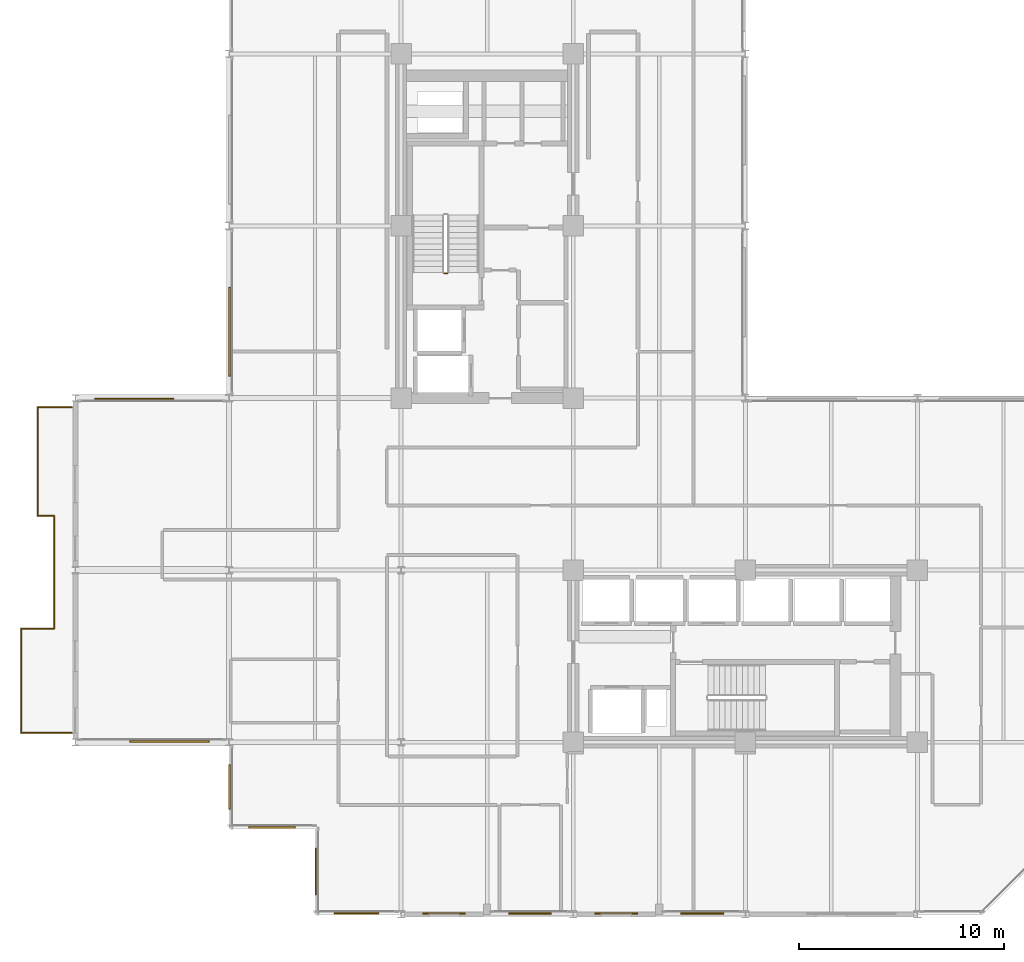
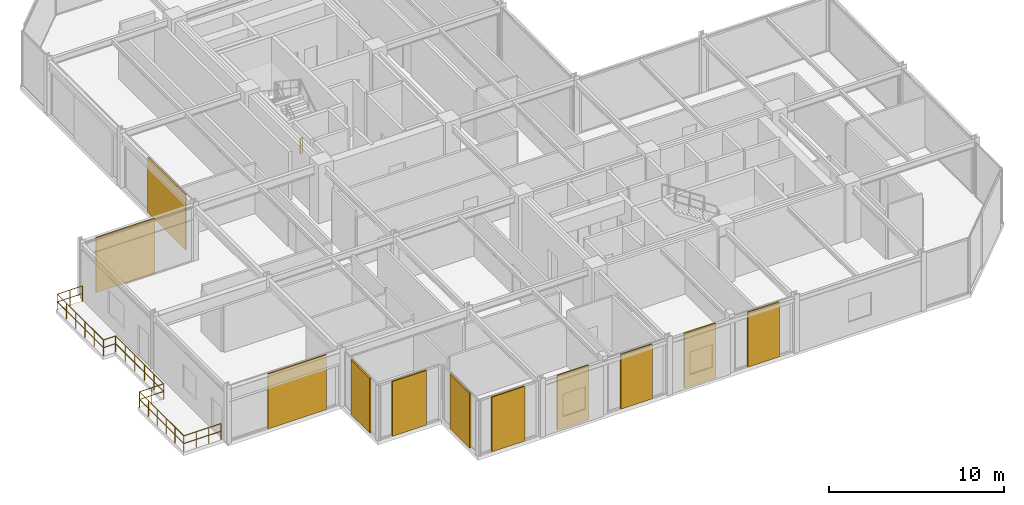
# One storey, part 27 of 29: 11 coverings, 8 railings.
"""IFC4 building model written with IfcOpenShell, lengths in metres."""

from ifc_helpers import new_model, si_unit, direction, frame, origin, origin_2d, place, context, subcontext, project, spatial, rectangle, circle, extrude, material, layer, layer_set, type_object, element, save


model = new_model("IFC4")

# Units and contexts
model_context = context("Model", 3, precision=1e-05, world=origin(), true_north=direction((0.0, 1.0)))
body_context = subcontext(model_context, "Body", "Model", "MODEL_VIEW")
ifc_project = project(units=[si_unit("LENGTHUNIT", "METRE"), si_unit("AREAUNIT", "SQUARE_METRE"), si_unit("VOLUMEUNIT", "CUBIC_METRE"), si_unit("PLANEANGLEUNIT", "RADIAN"), si_unit("MASSUNIT", "GRAM", prefix="KILO")], contexts=[model_context])

# Site, building, storey
site_placement = place(None, origin())
site = spatial("IfcSite", under=ifc_project, at=site_placement, CompositionType="ELEMENT")
building_placement = place(site_placement, origin())
building = spatial("IfcBuilding", under=site, at=building_placement, Name="Nerrivon Quay Data Exchange", CompositionType="ELEMENT")
storey_placement = place(building_placement, frame((0.0, 0.0, 212.39990234375)))
storey = spatial("IfcBuildingStorey", under=building, at=storey_placement, Name="L50", CompositionType="ELEMENT", Elevation=212.39990234375)

# Coverings
ifc_material_1 = material(Name="Architectural terracotta ceramic", Category="masonry")
ifc_layer = layer(ifc_material_1, 0.090087890625)
ifc_layer_set = layer_set([ifc_layer], Name="Architectural terracotta ceramic")
covering_type = type_object("IfcCoveringType", Name="COV-SCR-TERR", PredefinedType="CLADDING", material=ifc_layer_set)
covering_1_placement = place(storey_placement, frame((-4.6201171875, 25.155029296875, 0.0), z_axis=(0.0, 0.0, 1.0), x_axis=(1.0, 0.0, 0.0)))
element("IfcCovering", 1, at=covering_1_placement, inside=storey, type_object=covering_type, Name="L50 Perforated Terracotta SOLAR SCREEN Cassette", PredefinedType="CLADDING", context=body_context, shape_type="SweptSolid", body=[
    extrude(rectangle(XDim=3.8720703125, YDim=0.090087890625, at=origin_2d()), origin(), (0.0, 0.0, 1.0), 3.824951171875),
])
covering_2_placement = place(storey_placement, frame((0.044921875, 28.43408203125, 0.0), z_axis=(0.0, 0.0, 1.0), x_axis=(0.0, 1.0, 0.0)))
element("IfcCovering", 2, at=covering_2_placement, inside=storey, type_object=covering_type, Name="L50 Perforated Terracotta SOLAR SCREEN Cassette", PredefinedType="CLADDING", context=body_context, shape_type="SweptSolid", body=[
    extrude(rectangle(XDim=4.346923828125, YDim=0.090087890625, at=origin_2d()), origin(), (0.0, 0.0, 1.0), 3.824951171875),
])
for number, where, z_axis, x_axis, name in (
    (3, (23.10009765625, 0.044921875, 0.0), (0.0, 0.0, 1.0), (-1.0, 0.0, 0.0), "L50 Perforated Terracotta SOLAR SCREEN Cassette"),
    (4, (18.89990234375, 0.044921875, 0.0), (0.0, 0.0, 1.0), (-1.0, 0.0, 0.0), "L50 Perforated Terracotta SOLAR SCREEN Cassette"),
    (5, (14.699951171875, 0.044921875, 0.0), (0.0, 0.0, 1.0), (-1.0, 0.0, 0.0), "L50 Perforated Terracotta SOLAR SCREEN Cassette"),
    (6, (10.5, 0.044921875, 0.0), (0.0, 0.0, 1.0), (-1.0, 0.0, 0.0), "L50 Perforated Terracotta SOLAR SCREEN Cassette"),
):
    element("IfcCovering", number, at=place(storey_placement, frame(where, z_axis=z_axis, x_axis=x_axis)), inside=storey, type_object=covering_type, Name=name, PredefinedType="CLADDING", context=body_context, shape_type="SweptSolid", body=[
        extrude(rectangle(XDim=2.0791015625, YDim=0.090087890625, at=origin_2d()), origin(), (0.0, 0.0, 1.0), 3.824951171875),
    ])
covering_3_placement = place(storey_placement, frame((6.21240234375, 0.044921875, 0.0), z_axis=(0.0, 0.0, 1.0), x_axis=(-1.0, 0.0, 0.0)))
element("IfcCovering", 7, at=covering_3_placement, inside=storey, type_object=covering_type, Name="L50 Perforated Terracotta SOLAR SCREEN Cassette", PredefinedType="CLADDING", context=body_context, shape_type="SweptSolid", body=[
    extrude(rectangle(XDim=2.173095703125, YDim=0.090087890625, at=origin_2d()), origin(), (0.0, 0.0, 1.0), 3.824951171875),
])
for number, where, z_axis, x_axis, name in (
    (8, (4.2451171875, 2.10009765625, 0.0), (0.0, 0.0, 1.0), (0.0, 1.0, 0.0), "L50 Perforated Terracotta SOLAR SCREEN Cassette"),
    (9, (2.10009765625, 4.2451171875, 0.0), (0.0, 0.0, 1.0), (-1.0, 0.0, 0.0), "L50 Perforated Terracotta SOLAR SCREEN Cassette"),
):
    element("IfcCovering", number, at=place(storey_placement, frame(where, z_axis=z_axis, x_axis=x_axis)), inside=storey, type_object=covering_type, Name=name, PredefinedType="CLADDING", context=body_context, shape_type="SweptSolid", body=[
        extrude(rectangle(XDim=2.26806640625, YDim=0.090087890625, at=origin_2d()), origin(), (0.0, 0.0, 1.0), 3.824951171875),
    ])
covering_4_placement = place(storey_placement, frame((0.044921875, 6.21240234375, 0.0), z_axis=(0.0, 0.0, 1.0), x_axis=(0.0, 1.0, 0.0)))
element("IfcCovering", 10, at=covering_4_placement, inside=storey, type_object=covering_type, Name="L50 Perforated Terracotta SOLAR SCREEN Cassette", PredefinedType="CLADDING", context=body_context, shape_type="SweptSolid", body=[
    extrude(rectangle(XDim=2.173095703125, YDim=0.090087890625, at=origin_2d()), origin(), (0.0, 0.0, 1.0), 3.824951171875),
])
covering_5_placement = place(storey_placement, frame((-2.8994140625, 8.445068359375, 0.0), z_axis=(0.0, 0.0, 1.0), x_axis=(-1.0, 0.0, 0.0)))
element("IfcCovering", 11, at=covering_5_placement, inside=storey, type_object=covering_type, Name="L50 Perforated Terracotta SOLAR SCREEN Cassette", PredefinedType="CLADDING", context=body_context, shape_type="SweptSolid", body=[
    extrude(rectangle(XDim=3.8720703125, YDim=0.090087890625, at=origin_2d()), origin(), (0.0, 0.0, 1.0), 3.824951171875),
])

# Railings
ifc_material_2 = material(Name="Steel Grade C350L0 (350 MPa)", Category="steel")
railing_type_1 = type_object("IfcRailingType", Name="RAIL-GUARD-GR2", PredefinedType="BALUSTRADE", material=ifc_material_2)
railing_1_placement = place(storey_placement, frame((-7.679931640625, 8.860107421875, 0.0)))
element("IfcRailing", 12, at=railing_1_placement, inside=storey, type_object=railing_type_1, Name="L50 Verandah Balcony Guard 1.1 1", PredefinedType="BALUSTRADE", context=body_context, shape_type="SweptSolid", body=[
    extrude(circle(Radius=0.02392578125, at=origin_2d()), frame((0.0, 0.0, 1.09619140625), z_axis=(-1.0, 0.0, 0.0), x_axis=(0.0, -1.0, 0.0)), (0.0, 0.0, 1.0), 2.4599609375),
    extrude(circle(Radius=0.02392578125, at=origin_2d()), frame((0.0, 0.0, 0.56005859375), z_axis=(-1.0, 0.0, 0.0), x_axis=(0.0, -1.0, 0.0)), (0.0, 0.0, 1.0), 2.4599609375),
    extrude(circle(Radius=0.02099609375, at=origin_2d()), origin(), (0.0, 0.0, 1.0), 1.072021484375),
    extrude(circle(Radius=0.02099609375, at=origin_2d()), frame((-0.820068359375, 0.0, 0.0)), (0.0, 0.0, 1.0), 1.072021484375),
    extrude(circle(Radius=0.02099609375, at=origin_2d()), frame((-1.639892578125, 0.0, 0.0)), (0.0, 0.0, 1.0), 1.072021484375),
    extrude(circle(Radius=0.02099609375, at=origin_2d()), frame((-2.4599609375, 0.0, 0.0)), (0.0, 0.0, 1.0), 1.072021484375),
])
railing_2_placement = place(storey_placement, frame((-10.139892578125, 8.860107421875, 0.0)))
element("IfcRailing", 13, at=railing_2_placement, inside=storey, type_object=railing_type_1, Name="L50 Verandah Balcony Guard 1.2 1", PredefinedType="BALUSTRADE", context=body_context, shape_type="SweptSolid", body=[
    extrude(circle(Radius=0.02392578125, at=origin_2d()), frame((0.0, 0.0, 1.09619140625), z_axis=(0.0, 1.0, 0.0), x_axis=(-1.0, 0.0, 0.0)), (0.0, 0.0, 1.0), 5.079833984375),
    extrude(circle(Radius=0.02392578125, at=origin_2d()), frame((0.0, 0.0, 0.56005859375), z_axis=(0.0, 1.0, 0.0), x_axis=(-1.0, 0.0, 0.0)), (0.0, 0.0, 1.0), 5.079833984375),
    extrude(circle(Radius=0.02099609375, at=origin_2d()), origin(), (0.0, 0.0, 1.0), 1.072021484375),
    extrude(circle(Radius=0.02099609375, at=origin_2d()), frame((0.0, 1.015869140625, 0.0)), (0.0, 0.0, 1.0), 1.072021484375),
    extrude(circle(Radius=0.02099609375, at=origin_2d()), frame((0.0, 2.031982421875, 0.0)), (0.0, 0.0, 1.0), 1.072021484375),
    extrude(circle(Radius=0.02099609375, at=origin_2d()), frame((0.0, 3.0478515625, 0.0)), (0.0, 0.0, 1.0), 1.072021484375),
    extrude(circle(Radius=0.02099609375, at=origin_2d()), frame((0.0, 4.06396484375, 0.0)), (0.0, 0.0, 1.0), 1.072021484375),
    extrude(circle(Radius=0.02099609375, at=origin_2d()), frame((0.0, 5.079833984375, 0.0)), (0.0, 0.0, 1.0), 1.072021484375),
])
railing_3_placement = place(storey_placement, frame((-10.139892578125, 13.93994140625, 0.0)))
element("IfcRailing", 14, at=railing_3_placement, inside=storey, type_object=railing_type_1, Name="L50 Verandah Balcony Guard 1.3 1", PredefinedType="BALUSTRADE", context=body_context, shape_type="SweptSolid", body=[
    extrude(circle(Radius=0.02392578125, at=origin_2d()), frame((0.0, 0.0, 1.09619140625), z_axis=(1.0, 0.0, 0.0), x_axis=(0.0, 1.0, 0.0)), (0.0, 0.0, 1.0), 1.599853515625),
    extrude(circle(Radius=0.02392578125, at=origin_2d()), frame((0.0, 0.0, 0.56005859375), z_axis=(1.0, 0.0, 0.0), x_axis=(0.0, 1.0, 0.0)), (0.0, 0.0, 1.0), 1.599853515625),
    extrude(circle(Radius=0.02099609375, at=origin_2d()), origin(), (0.0, 0.0, 1.0), 1.072021484375),
    extrude(circle(Radius=0.02099609375, at=origin_2d()), frame((0.7998046875, 0.0, 0.0)), (0.0, 0.0, 1.0), 1.072021484375),
    extrude(circle(Radius=0.02099609375, at=origin_2d()), frame((1.599853515625, 0.0, 0.0)), (0.0, 0.0, 1.0), 1.072021484375),
])
railing_4_placement = place(storey_placement, frame((-8.5400390625, 13.93994140625, 0.0)))
element("IfcRailing", 15, at=railing_4_placement, inside=storey, type_object=railing_type_1, Name="L50 Verandah Balcony Guard 1.4 1", PredefinedType="BALUSTRADE", context=body_context, shape_type="SweptSolid", body=[
    extrude(circle(Radius=0.02392578125, at=origin_2d()), frame((0.0, 0.0, 1.09619140625), z_axis=(0.0, 1.0, 0.0), x_axis=(-1.0, 0.0, 0.0)), (0.0, 0.0, 1.0), 5.52001953125),
    extrude(circle(Radius=0.02392578125, at=origin_2d()), frame((0.0, 0.0, 0.56005859375), z_axis=(0.0, 1.0, 0.0), x_axis=(-1.0, 0.0, 0.0)), (0.0, 0.0, 1.0), 5.52001953125),
    extrude(circle(Radius=0.02099609375, at=origin_2d()), origin(), (0.0, 0.0, 1.0), 1.072021484375),
    extrude(circle(Radius=0.02099609375, at=origin_2d()), frame((0.0, 1.10400390625, 0.0)), (0.0, 0.0, 1.0), 1.072021484375),
    extrude(circle(Radius=0.02099609375, at=origin_2d()), frame((0.0, 2.2080078125, 0.0)), (0.0, 0.0, 1.0), 1.072021484375),
    extrude(circle(Radius=0.02099609375, at=origin_2d()), frame((0.0, 3.31201171875, 0.0)), (0.0, 0.0, 1.0), 1.072021484375),
    extrude(circle(Radius=0.02099609375, at=origin_2d()), frame((0.0, 4.416015625, 0.0)), (0.0, 0.0, 1.0), 1.072021484375),
    extrude(circle(Radius=0.02099609375, at=origin_2d()), frame((0.0, 5.52001953125, 0.0)), (0.0, 0.0, 1.0), 1.072021484375),
])
railing_5_placement = place(storey_placement, frame((-8.5400390625, 19.4599609375, 0.0)))
element("IfcRailing", 16, at=railing_5_placement, inside=storey, type_object=railing_type_1, Name="L50 Verandah Balcony Guard 1.5 1", PredefinedType="BALUSTRADE", context=body_context, shape_type="SweptSolid", body=[
    extrude(circle(Radius=0.02392578125, at=origin_2d()), frame((0.0, 0.0, 1.09619140625), z_axis=(-1.0, 0.0, 0.0), x_axis=(0.0, -1.0, 0.0)), (0.0, 0.0, 1.0), 0.800048828125),
    extrude(circle(Radius=0.02392578125, at=origin_2d()), frame((0.0, 0.0, 0.56005859375), z_axis=(-1.0, 0.0, 0.0), x_axis=(0.0, -1.0, 0.0)), (0.0, 0.0, 1.0), 0.800048828125),
    extrude(circle(Radius=0.02099609375, at=origin_2d()), origin(), (0.0, 0.0, 1.0), 1.072021484375),
    extrude(circle(Radius=0.02099609375, at=origin_2d()), frame((-0.800048828125, 0.0, 0.0)), (0.0, 0.0, 1.0), 1.072021484375),
])
railing_6_placement = place(storey_placement, frame((-9.340087890625, 19.4599609375, 0.0)))
element("IfcRailing", 17, at=railing_6_placement, inside=storey, type_object=railing_type_1, Name="L50 Verandah Balcony Guard 1.6 1", PredefinedType="BALUSTRADE", context=body_context, shape_type="SweptSolid", body=[
    extrude(circle(Radius=0.02392578125, at=origin_2d()), frame((0.0, 0.0, 1.09619140625), z_axis=(0.0, 1.0, 0.0), x_axis=(-1.0, 0.0, 0.0)), (0.0, 0.0, 1.0), 5.280029296875),
    extrude(circle(Radius=0.02392578125, at=origin_2d()), frame((0.0, 0.0, 0.56005859375), z_axis=(0.0, 1.0, 0.0), x_axis=(-1.0, 0.0, 0.0)), (0.0, 0.0, 1.0), 5.280029296875),
    extrude(circle(Radius=0.02099609375, at=origin_2d()), origin(), (0.0, 0.0, 1.0), 1.072021484375),
    extrude(circle(Radius=0.02099609375, at=origin_2d()), frame((0.0, 1.055908203125, 0.0)), (0.0, 0.0, 1.0), 1.072021484375),
    extrude(circle(Radius=0.02099609375, at=origin_2d()), frame((0.0, 2.112060546875, 0.0)), (0.0, 0.0, 1.0), 1.072021484375),
    extrude(circle(Radius=0.02099609375, at=origin_2d()), frame((0.0, 3.16796875, 0.0)), (0.0, 0.0, 1.0), 1.072021484375),
    extrude(circle(Radius=0.02099609375, at=origin_2d()), frame((0.0, 4.22412109375, 0.0)), (0.0, 0.0, 1.0), 1.072021484375),
    extrude(circle(Radius=0.02099609375, at=origin_2d()), frame((0.0, 5.280029296875, 0.0)), (0.0, 0.0, 1.0), 1.072021484375),
])
railing_7_placement = place(storey_placement, frame((-9.340087890625, 24.739990234375, 0.0)))
element("IfcRailing", 18, at=railing_7_placement, inside=storey, type_object=railing_type_1, Name="L50 Verandah Balcony Guard 1.7 1", PredefinedType="BALUSTRADE", context=body_context, shape_type="SweptSolid", body=[
    extrude(circle(Radius=0.02392578125, at=origin_2d()), frame((0.0, 0.0, 1.09619140625), z_axis=(1.0, 0.0, 0.0), x_axis=(0.0, 1.0, 0.0)), (0.0, 0.0, 1.0), 1.66015625),
    extrude(circle(Radius=0.02392578125, at=origin_2d()), frame((0.0, 0.0, 0.56005859375), z_axis=(1.0, 0.0, 0.0), x_axis=(0.0, 1.0, 0.0)), (0.0, 0.0, 1.0), 1.66015625),
    extrude(circle(Radius=0.02099609375, at=origin_2d()), origin(), (0.0, 0.0, 1.0), 1.072021484375),
    extrude(circle(Radius=0.02099609375, at=origin_2d()), frame((0.830078125, 0.0, 0.0)), (0.0, 0.0, 1.0), 1.072021484375),
    extrude(circle(Radius=0.02099609375, at=origin_2d()), frame((1.66015625, 0.0, 0.0)), (0.0, 0.0, 1.0), 1.072021484375),
])
railing_type_2 = type_object("IfcRailingType", Name="RAIL-STAIR-GR1", PredefinedType="BALUSTRADE", material=ifc_material_2)
railing_8_placement = place(storey_placement, frame((10.64990234375, 31.280029296875, 0.0)))
element("IfcRailing", 19, at=railing_8_placement, inside=storey, type_object=railing_type_2, Name="L50 ST01 stair guard 4", PredefinedType="BALUSTRADE", context=body_context, shape_type="SweptSolid", body=[
    extrude(circle(Radius=0.02392578125, at=origin_2d()), frame((0.0, 0.0, 1.076171875), z_axis=(-1.0, 0.0, 0.0), x_axis=(0.0, -1.0, 0.0)), (0.0, 0.0, 1.0), 0.14990234375),
    extrude(circle(Radius=0.02392578125, at=origin_2d()), frame((0.0, 0.0, 0.550048828125), z_axis=(-1.0, 0.0, 0.0), x_axis=(0.0, -1.0, 0.0)), (0.0, 0.0, 1.0), 0.14990234375),
    extrude(circle(Radius=0.02099609375, at=origin_2d()), origin(), (0.0, 0.0, 1.0), 1.052001953125),
    extrude(circle(Radius=0.02099609375, at=origin_2d()), frame((-0.14990234375, 0.0, 0.0)), (0.0, 0.0, 1.0), 1.052001953125),
])

save(model, "model.ifc")
